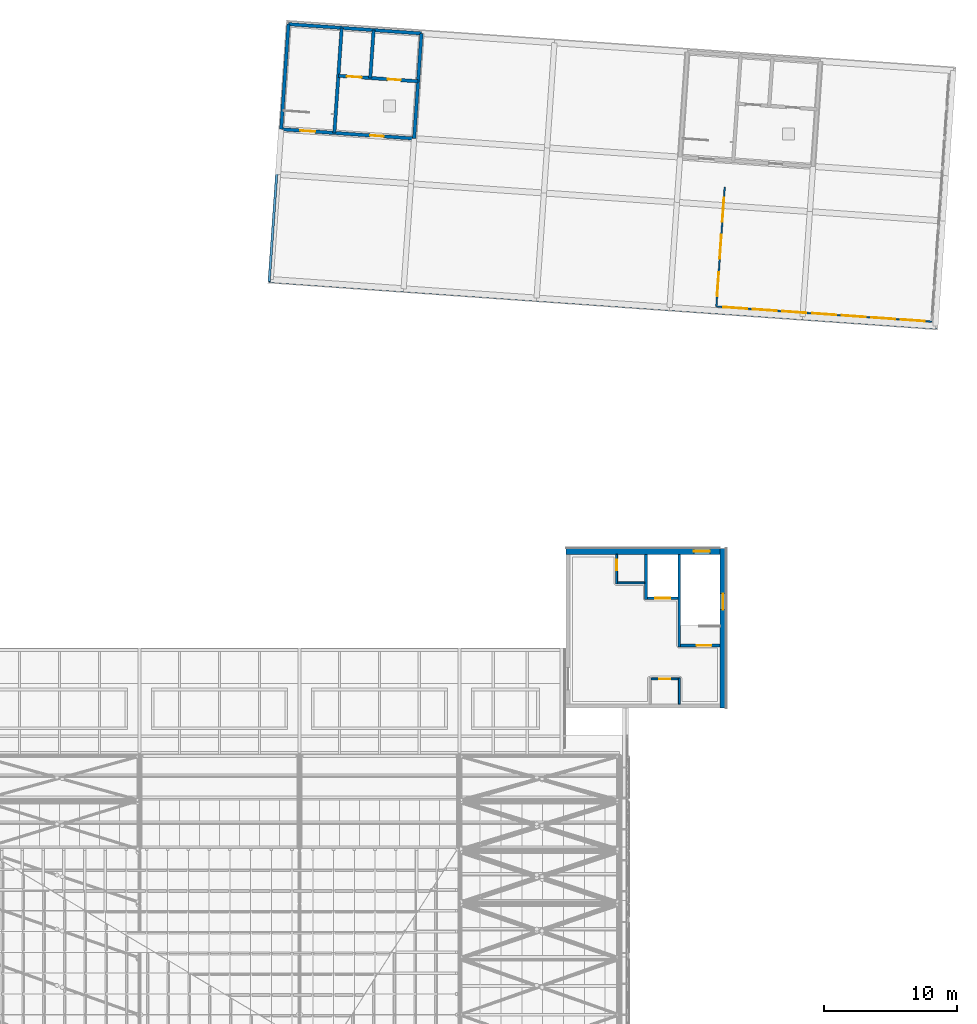
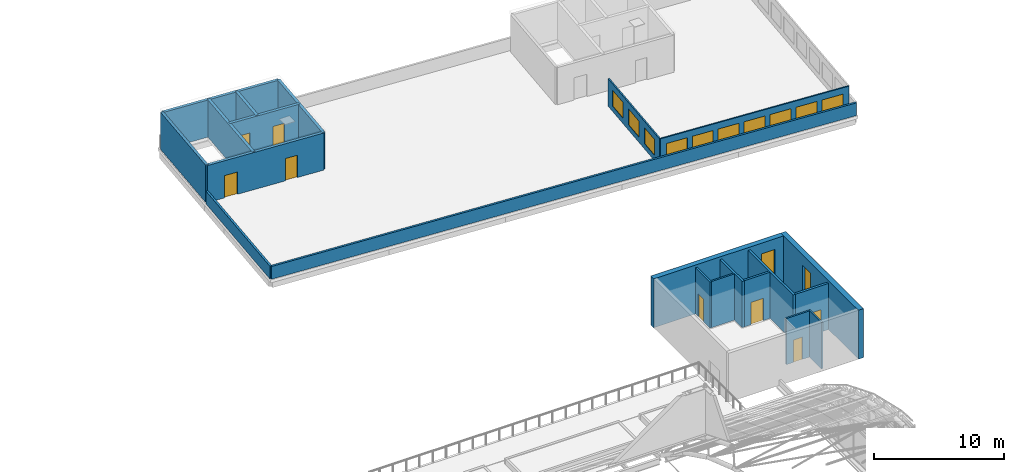
# One storey, part 83 of 110: 21 walls, 12 windows, 8 doors, 20 openings.
"""IFC4 building model written with IfcOpenShell, lengths in metres."""

from ifc_helpers import new_model, si_unit, direction, frame, frame_2d, origin, place, context, subcontext, project, spatial, rectangle, extrude, material, layer, layer_set, type_object, element, fill, save


model = new_model("IFC4")

# Units and contexts
model_context = context("Model", 3, precision=1e-05, world=origin(), true_north=direction((0.0, 1.0)))
body_context = subcontext(model_context, "Body", "Model", "MODEL_VIEW")
ifc_project = project(units=[si_unit("LENGTHUNIT", "METRE"), si_unit("AREAUNIT", "SQUARE_METRE"), si_unit("VOLUMEUNIT", "CUBIC_METRE"), si_unit("PLANEANGLEUNIT", "RADIAN"), si_unit("MASSUNIT", "GRAM", prefix="KILO")], contexts=[model_context])

# Site, building, storey
site_placement = place(None, origin())
site = spatial("IfcSite", under=ifc_project, at=site_placement, CompositionType="ELEMENT")
building_placement = place(site_placement, origin())
building = spatial("IfcBuilding", under=site, at=building_placement, Name="Windward Yard Aquatics Centre", CompositionType="ELEMENT")
storey_placement = place(building_placement, frame((0.0, 0.0, 22.60009765625)))
storey = spatial("IfcBuildingStorey", under=building, at=storey_placement, Name="L05", CompositionType="ELEMENT", Elevation=22.60009765625)

# Wall
ifc_material_1 = material(Name="Concrete C35/45", Category="concrete")
ifc_layer_1 = layer(ifc_material_1, 0.199951171875)
ifc_layer_set_1 = layer_set([ifc_layer_1], Name="H Enclosure Wall Concrete C35/45 200")
wall_type_1 = type_object("IfcWallType", Name="H Enclosure Wall Concrete C35/45 200", PredefinedType="SOLIDWALL", material=ifc_layer_set_1)
wall_1_placement = place(storey_placement, frame((148.5, 95.550048828125, 0.0), z_axis=(0.0, 0.0, 1.0), x_axis=(0.0, -1.0, 0.0)))
element("IfcWall", 1, at=wall_1_placement, inside=storey, type_object=wall_type_1, Name="L05 W1 enclosure wall NE", PredefinedType="SOLIDWALL", context=body_context, shape_type="SweptSolid", body=[
    extrude(rectangle(XDim=6.949951171875, YDim=0.199951171875, at=frame_2d((3.47509765625, 0.0))), origin(), (0.0, 0.0, 1.0), 4.349853515625),
])

# Wall, opening, door
wall_2_placement = place(storey_placement, frame((151.550048828125, 88.699951171875, 0.0), z_axis=(0.0, 0.0, 1.0), x_axis=(-1.0, 0.0, 0.0)))
wall_2 = element("IfcWall", 2, at=wall_2_placement, inside=storey, type_object=wall_type_1, Name="L05 W2 enclosure wall NE", PredefinedType="SOLIDWALL", context=body_context, shape_type="SweptSolid", body=[
    extrude(rectangle(XDim=2.949951171875, YDim=0.199951171875, at=frame_2d((1.47509765625, 0.0))), origin(), (0.0, 0.0, 1.0), 4.349853515625),
])
opening_1_placement = place(wall_2_placement, frame((0.64990234375, 0.0, 0.0)))
opening_1 = element("IfcOpeningElement", 3, at=opening_1_placement, cuts=wall_2, Name="Opening H5006", PredefinedType="OPENING", context=body_context, shape_type="SweptSolid", body=[
    extrude(rectangle(XDim=1.10009765625, YDim=2.10009765625, at=frame_2d((0.550048828125, 1.050048828125))), frame((0.0, 0.10986328125, 0.0), z_axis=(0.0, -1.0, 0.0), x_axis=(1.0, 0.0, 0.0)), (0.0, 0.0, 1.0), 0.219970703125),
])
ifc_material_2 = material(Name="Steel and timber door leaf", Category="steel")
door_type_1 = type_object("IfcDoorType", Name="H Door Single 1100 x 2100 FD60", OperationType="NOTDEFINED", PredefinedType="DOOR", material=ifc_material_2)
door_1_placement = place(opening_1_placement, origin())
door_1 = element("IfcDoor", 4, at=door_1_placement, inside=storey, type_object=door_type_1, Name="L05 stair NE door", OperationType="SINGLE_SWING_RIGHT", OverallHeight=2.10009765625, OverallWidth=1.10009765625, PredefinedType="DOOR", context=body_context, shape_type="SweptSolid", body=[
    extrude(rectangle(XDim=1.10009765625, YDim=2.10009765625, at=frame_2d((0.550048828125, 1.050048828125))), frame((0.0, 0.02490234375, 0.0), z_axis=(0.0, -1.0, 0.0), x_axis=(1.0, 0.0, 0.0)), (0.0, 0.0, 1.0), 0.050048828125),
])
fill(opening_1, door_1)

# Wall
wall_3_placement = place(storey_placement, frame((146.0, 95.550048828125, 0.0), z_axis=(0.0, 0.0, 1.0), x_axis=(0.0, -1.0, 0.0)))
element("IfcWall", 5, at=wall_3_placement, inside=storey, type_object=wall_type_1, Name="L05 W3 enclosure wall NE", PredefinedType="SOLIDWALL", context=body_context, shape_type="SweptSolid", body=[
    extrude(rectangle(XDim=3.400146484375, YDim=0.199951171875, at=frame_2d((1.7001953125, 0.0))), origin(), (0.0, 0.0, 1.0), 4.349853515625),
])

# Wall, opening, door
wall_4_placement = place(storey_placement, frame((148.39990234375, 92.25, 0.0), z_axis=(0.0, 0.0, 1.0), x_axis=(-1.0, 0.0, 0.0)))
wall_4 = element("IfcWall", 6, at=wall_4_placement, inside=storey, type_object=wall_type_1, Name="L05 W4 enclosure wall NE", PredefinedType="SOLIDWALL", context=body_context, shape_type="SweptSolid", body=[
    extrude(rectangle(XDim=2.2998046875, YDim=0.199951171875, at=frame_2d((1.14990234375, 0.0))), origin(), (0.0, 0.0, 1.0), 4.349853515625),
])
opening_2_placement = place(wall_4_placement, frame((0.60009765625, 0.0, 0.0)))
opening_2 = element("IfcOpeningElement", 7, at=opening_2_placement, cuts=wall_4, Name="Opening H5007", PredefinedType="OPENING", context=body_context, shape_type="SweptSolid", body=[
    extrude(rectangle(XDim=1.10009765625, YDim=2.10009765625, at=frame_2d((0.550048828125, 1.050048828125))), frame((0.0, 0.10986328125, 0.0), z_axis=(0.0, -1.0, 0.0), x_axis=(1.0, 0.0, 0.0)), (0.0, 0.0, 1.0), 0.219970703125),
])
ifc_material_3 = material(Name="Stainless steel 1.4301", Category="steel")
door_type_2 = type_object("IfcDoorType", Name="H Lift Landing Door 1100 x 2100", OperationType="DOUBLE_DOOR_SLIDING", PredefinedType="DOOR", material=ifc_material_3)
door_2_placement = place(opening_2_placement, origin())
door_2 = element("IfcDoor", 8, at=door_2_placement, inside=storey, type_object=door_type_2, Name="Lift NE landing door L05", OperationType="DOUBLE_DOOR_SLIDING", OverallHeight=2.10009765625, OverallWidth=1.10009765625, PredefinedType="DOOR", context=body_context, shape_type="SweptSolid", body=[
    extrude(rectangle(XDim=1.10009765625, YDim=2.10009765625, at=frame_2d((0.550048828125, 1.050048828125))), frame((0.0, 0.02490234375, 0.0), z_axis=(0.0, -1.0, 0.0), x_axis=(1.0, 0.0, 0.0)), (0.0, 0.0, 1.0), 0.050048828125),
])
fill(opening_2, door_2)

# Wall
ifc_material_4 = material(Name="Blockwork 150 mm", Category="masonry")
ifc_layer_2 = layer(ifc_material_4, 0.14990234375)
ifc_layer_set_2 = layer_set([ifc_layer_2], Name="H Partition Blockwork 150")
wall_type_2 = type_object("IfcWallType", Name="H Partition Blockwork 150", PredefinedType="PARTITIONING", material=ifc_layer_set_2)
wall_5_placement = place(storey_placement, frame((145.89990234375, 93.39990234375, 0.0), z_axis=(0.0, 0.0, 1.0), x_axis=(-1.0, 0.0, 0.0)))
element("IfcWall", 9, at=wall_5_placement, inside=storey, type_object=wall_type_2, Name="L05 R1N riser wall NE", PredefinedType="PARTITIONING", context=body_context, shape_type="SweptSolid", body=[
    extrude(rectangle(XDim=2.02490234375, YDim=0.14990234375, at=frame_2d((1.012451171875, 0.0))), origin(), (0.0, 0.0, 1.0), 4.349853515625),
])

# Wall, opening, door
wall_6_placement = place(storey_placement, frame((143.800048828125, 95.550048828125, 0.0), z_axis=(0.0, 0.0, 1.0), x_axis=(0.0, -1.0, 0.0)))
wall_6 = element("IfcWall", 10, at=wall_6_placement, inside=storey, type_object=wall_type_2, Name="L05 R1E riser wall NE", PredefinedType="PARTITIONING", context=body_context, shape_type="SweptSolid", body=[
    extrude(rectangle(XDim=2.22509765625, YDim=0.14990234375, at=frame_2d((1.112548828125, 0.0))), origin(), (0.0, 0.0, 1.0), 4.349853515625),
])
opening_3_placement = place(wall_6_placement, frame((0.39990234375, 0.0, 0.0)))
opening_3 = element("IfcOpeningElement", 11, at=opening_3_placement, cuts=wall_6, Name="Opening H5008", PredefinedType="OPENING", context=body_context, shape_type="SweptSolid", body=[
    extrude(rectangle(XDim=0.800048828125, YDim=2.10009765625, at=frame_2d((0.39990234375, 1.050048828125))), frame((0.0, 0.0849609375, 0.0), z_axis=(0.0, -1.0, 0.0), x_axis=(1.0, 0.0, 0.0)), (0.0, 0.0, 1.0), 0.169921875),
])
door_type_3 = type_object("IfcDoorType", Name="H Door Riser 800 x 2100 FD60", OperationType="NOTDEFINED", PredefinedType="DOOR", material=ifc_material_2)
door_3_placement = place(opening_3_placement, origin())
door_3 = element("IfcDoor", 12, at=door_3_placement, inside=storey, type_object=door_type_3, Name="L05 electrical riser NE door", OperationType="SINGLE_SWING_LEFT", OverallHeight=2.10009765625, OverallWidth=0.800048828125, PredefinedType="DOOR", context=body_context, shape_type="SweptSolid", body=[
    extrude(rectangle(XDim=0.800048828125, YDim=2.10009765625, at=frame_2d((0.39990234375, 1.050048828125))), frame((0.0, 0.02490234375, 0.0), z_axis=(0.0, -1.0, 0.0), x_axis=(1.0, 0.0, 0.0)), (0.0, 0.0, 1.0), 0.050048828125),
])
fill(opening_3, door_3)

wall_7_placement = place(storey_placement, frame((148.425048828125, 86.199951171875, 0.0), z_axis=(0.0, 0.0, 1.0), x_axis=(-1.0, 0.0, 0.0)))
wall_7 = element("IfcWall", 13, at=wall_7_placement, inside=storey, type_object=wall_type_2, Name="L05 R2S riser wall NE", PredefinedType="PARTITIONING", context=body_context, shape_type="SweptSolid", body=[
    extrude(rectangle(XDim=2.050048828125, YDim=0.14990234375, at=frame_2d((1.02490234375, 0.0))), origin(), (0.0, 0.0, 1.0), 4.349853515625),
])
opening_4_placement = place(wall_7_placement, frame((0.625, 0.0, 0.0)))
opening_4 = element("IfcOpeningElement", 14, at=opening_4_placement, cuts=wall_7, Name="Opening H5009", PredefinedType="OPENING", context=body_context, shape_type="SweptSolid", body=[
    extrude(rectangle(XDim=0.800048828125, YDim=2.10009765625, at=frame_2d((0.39990234375, 1.050048828125))), frame((0.0, 0.0849609375, 0.0), z_axis=(0.0, -1.0, 0.0), x_axis=(1.0, 0.0, 0.0)), (0.0, 0.0, 1.0), 0.169921875),
])
door_4_placement = place(opening_4_placement, origin())
door_4 = element("IfcDoor", 15, at=door_4_placement, inside=storey, type_object=door_type_3, Name="L05 communications riser NE door", OperationType="SINGLE_SWING_RIGHT", OverallHeight=2.10009765625, OverallWidth=0.800048828125, PredefinedType="DOOR", context=body_context, shape_type="SweptSolid", body=[
    extrude(rectangle(XDim=0.800048828125, YDim=2.10009765625, at=frame_2d((0.39990234375, 1.050048828125))), frame((0.0, 0.02490234375, 0.0), z_axis=(0.0, -1.0, 0.0), x_axis=(1.0, 0.0, 0.0)), (0.0, 0.0, 1.0), 0.050048828125),
])
fill(opening_4, door_4)

# Wall
wall_8_placement = place(storey_placement, frame((148.5, 86.27490234375, 0.0), z_axis=(0.0, 0.0, 1.0), x_axis=(0.0, -1.0, 0.0)))
element("IfcWall", 16, at=wall_8_placement, inside=storey, type_object=wall_type_2, Name="L05 R2W riser wall NE", PredefinedType="PARTITIONING", context=body_context, shape_type="SweptSolid", body=[
    extrude(rectangle(XDim=1.974853515625, YDim=0.14990234375, at=frame_2d((0.9873046875, 0.0))), origin(), (0.0, 0.0, 1.0), 4.349853515625),
])

# Wall, opening, window
ifc_material_5 = material(Name="Natural stone cladding", Category="masonry")
ifc_layer_3 = layer(ifc_material_5, 0.04, Name="Cladding")
ifc_material_6 = material(Name="Ventilated air cavity")
ifc_layer_4 = layer(ifc_material_6, 0.05, ventilated=True, Name="Ventilated cavity")
ifc_material_7 = material(Name="Mineral wool insulation")
ifc_layer_5 = layer(ifc_material_7, 0.08, Name="Insulation")
ifc_layer_6 = layer(ifc_material_1, 0.28, Name="Structure")
ifc_layer_set_3 = layer_set([ifc_layer_3, ifc_layer_4, ifc_layer_5, ifc_layer_6], Name="H plinth wall stone faced 450 C35/45")
wall_type_3 = type_object("IfcWallType", Name="H plinth wall stone faced 450 C35/45", PredefinedType="ELEMENTEDWALL", material=ifc_layer_set_3)
wall_9_placement = place(storey_placement, frame((151.77490234375, 96.0, 0.0), z_axis=(0.0, 0.0, 1.0), x_axis=(0.0, -1.0, 0.0)))
wall_9 = element("IfcWall", 17, at=wall_9_placement, inside=storey, type_object=wall_type_3, Name="H.CW.NE.E.L05", PredefinedType="ELEMENTEDWALL", context=body_context, shape_type="SweptSolid", body=[
    extrude(rectangle(XDim=12.0, YDim=0.449951171875, at=frame_2d((6.0, 0.0))), origin(), (0.0, 0.0, 1.0), 4.599853515625),
])
opening_5_placement = place(wall_9_placement, frame((3.39990234375, 0.0, 0.60009765625)))
opening_5 = element("IfcOpeningElement", 18, at=opening_5_placement, cuts=wall_9, Name="Opening W5023", PredefinedType="OPENING", context=body_context, shape_type="SweptSolid", body=[
    extrude(rectangle(XDim=1.199951171875, YDim=3.0, at=frame_2d((0.60009765625, 1.5))), frame((0.0, 0.23486328125, 0.0), z_axis=(0.0, -1.0, 0.0), x_axis=(1.0, 0.0, 0.0)), (0.0, 0.0, 1.0), 0.469970703125),
])
ifc_material_8 = material(Name="Fire-resisting glazing in steel frame", Category="steel")
window_type_1 = type_object("IfcWindowType", Name="H Core Stair Window 1200 x 3000 EI 60", PartitioningType="SINGLE_PANEL", PredefinedType="WINDOW", material=ifc_material_8)
window_1_placement = place(opening_5_placement, origin())
window_1 = element("IfcWindow", 19, at=window_1_placement, inside=storey, type_object=window_type_1, Name="L05 core NE stair window", OverallHeight=3.0, OverallWidth=1.199951171875, PartitioningType="SINGLE_PANEL", PredefinedType="WINDOW", context=body_context, shape_type="SweptSolid", body=[
    extrude(rectangle(XDim=1.199951171875, YDim=3.0, at=frame_2d((0.60009765625, 1.5))), frame((0.0, 0.030029296875, 0.0), z_axis=(0.0, -1.0, 0.0), x_axis=(1.0, 0.0, 0.0)), (0.0, 0.0, 1.0), 0.06005859375),
])
fill(opening_5, window_1)

wall_10_placement = place(storey_placement, frame((151.550048828125, 95.77490234375, 0.0), z_axis=(0.0, 0.0, 1.0), x_axis=(-1.0, 0.0, 0.0)))
wall_10 = element("IfcWall", 20, at=wall_10_placement, inside=storey, type_object=wall_type_3, Name="H.CW.NE.N.L05", PredefinedType="ELEMENTEDWALL", context=body_context, shape_type="SweptSolid", body=[
    extrude(rectangle(XDim=11.550048828125, YDim=0.449951171875, at=frame_2d((5.77490234375, 0.0))), origin(), (0.0, 0.0, 1.0), 4.599853515625),
])
opening_6_placement = place(wall_10_placement, frame((0.75, 0.0, 0.60009765625)))
opening_6 = element("IfcOpeningElement", 21, at=opening_6_placement, cuts=wall_10, Name="Opening W5024", PredefinedType="OPENING", context=body_context, shape_type="SweptSolid", body=[
    extrude(rectangle(XDim=1.199951171875, YDim=3.0, at=frame_2d((0.60009765625, 1.5))), frame((0.0, 0.23486328125, 0.0), z_axis=(0.0, -1.0, 0.0), x_axis=(1.0, 0.0, 0.0)), (0.0, 0.0, 1.0), 0.469970703125),
])
window_2_placement = place(opening_6_placement, origin())
window_2 = element("IfcWindow", 22, at=window_2_placement, inside=storey, type_object=window_type_1, Name="L05 core NE stair window", OverallHeight=3.0, OverallWidth=1.199951171875, PartitioningType="SINGLE_PANEL", PredefinedType="WINDOW", context=body_context, shape_type="SweptSolid", body=[
    extrude(rectangle(XDim=1.199951171875, YDim=3.0, at=frame_2d((0.60009765625, 1.5))), frame((0.0, 0.030029296875, 0.0), z_axis=(0.0, -1.0, 0.0), x_axis=(1.0, 0.0, 0.0)), (0.0, 0.0, 1.0), 0.06005859375),
])
fill(opening_6, window_2)

# Wall, openings, doors
ifc_material_9 = material(Name="Concrete C40/50", Category="concrete")
ifc_layer_7 = layer(ifc_material_9, 0.25)
ifc_layer_set_4 = layer_set([ifc_layer_7], Name="W RC core wall 250 Concrete C40/50")
wall_type_4 = type_object("IfcWallType", Name="W RC core wall 250 Concrete C40/50", PredefinedType="SOLIDWALL", material=ifc_layer_set_4)
wall_11_placement = place(storey_placement, frame((118.627197265625, 127.43994140625, 0.0), z_axis=(0.0, 0.0, 1.0), x_axis=(0.997564406228, -0.069751382981, 0.0)))
wall_11 = element("IfcWall", 23, at=wall_11_placement, inside=storey, type_object=wall_type_4, Name="W.HH.W.1", PredefinedType="SOLIDWALL", context=body_context, shape_type="SweptSolid", body=[
    extrude(rectangle(XDim=10.0, YDim=0.25, at=frame_2d((5.0, 0.0))), origin(), (0.0, 0.0, 1.0), 3.5),
])
opening_7_placement = place(wall_11_placement, frame((1.449951171875, 0.0, 0.0)))
opening_7 = element("IfcOpeningElement", 24, at=opening_7_placement, cuts=wall_11, Name="Opening W5001", PredefinedType="OPENING", context=body_context, shape_type="SweptSolid", body=[
    extrude(rectangle(XDim=1.10009765625, YDim=2.10009765625, at=frame_2d((0.550048828125, 1.050048828125))), frame((0.0, 0.135009765625, 0.0), z_axis=(0.0, -1.0, 0.0), x_axis=(1.0, 0.0, 0.0)), (0.0, 0.0, 1.0), 0.27001953125),
])
opening_8_placement = place(wall_11_placement, frame((6.699951171875, 0.0, 0.0)))
opening_8 = element("IfcOpeningElement", 25, at=opening_8_placement, cuts=wall_11, Name="Opening W5002", PredefinedType="OPENING", context=body_context, shape_type="SweptSolid", body=[
    extrude(rectangle(XDim=1.0, YDim=2.10009765625, at=frame_2d((0.5, 1.050048828125))), frame((0.0, 0.135009765625, 0.0), z_axis=(0.0, -1.0, 0.0), x_axis=(1.0, 0.0, 0.0)), (0.0, 0.0, 1.0), 0.27001953125),
])
ifc_material_10 = material(Name="Steel fire door leaf", Category="steel")
door_type_4 = type_object("IfcDoorType", Name="W fire door FD60 1000x2100", OperationType="SINGLE_SWING_LEFT", PredefinedType="DOOR", material=ifc_material_10)
door_5_placement = place(opening_8_placement, origin())
door_5 = element("IfcDoor", 26, at=door_5_placement, inside=storey, type_object=door_type_4, Name="W.DRI.L05.002", OperationType="SINGLE_SWING_LEFT", OverallHeight=2.10009765625, OverallWidth=1.0, PredefinedType="DOOR", context=body_context, shape_type="SweptSolid", body=[
    extrude(rectangle(XDim=1.0, YDim=2.10009765625, at=frame_2d((0.5, 1.050048828125))), frame((0.0, 0.02490234375, 0.0), z_axis=(0.0, -1.0, 0.0), x_axis=(1.0, 0.0, 0.0)), (0.0, 0.0, 1.0), 0.050048828125),
])
fill(opening_8, door_5)
door_type_5 = type_object("IfcDoorType", Name="W stair door FD60 1100x2100", OperationType="SINGLE_SWING_LEFT", PredefinedType="DOOR", material=ifc_material_10)
door_6_placement = place(opening_7_placement, origin())
door_6 = element("IfcDoor", 27, at=door_6_placement, inside=storey, type_object=door_type_5, Name="W.DRI.L05.001", OperationType="SINGLE_SWING_RIGHT", OverallHeight=2.10009765625, OverallWidth=1.10009765625, PredefinedType="DOOR", context=body_context, shape_type="SweptSolid", body=[
    extrude(rectangle(XDim=1.10009765625, YDim=2.10009765625, at=frame_2d((0.550048828125, 1.050048828125))), frame((0.0, 0.02490234375, 0.0), z_axis=(0.0, -1.0, 0.0), x_axis=(1.0, 0.0, 0.0)), (0.0, 0.0, 1.0), 0.050048828125),
])
fill(opening_7, door_6)

# Walls
wall_12_placement = place(storey_placement, frame((128.602783203125, 126.742431640625, 0.0), z_axis=(0.0, 0.0, 1.0), x_axis=(0.0697491702, 0.997564560947, 0.0)))
element("IfcWall", 28, at=wall_12_placement, inside=storey, type_object=wall_type_4, Name="W.HH.W.2", PredefinedType="SOLIDWALL", context=body_context, shape_type="SweptSolid", body=[
    extrude(rectangle(XDim=7.900146484375, YDim=0.25, at=frame_2d((3.9501953125, 0.0))), origin(), (0.0, 0.0, 1.0), 3.5),
])
wall_13_placement = place(storey_placement, frame((129.15380859375, 134.623291015625, 0.0), z_axis=(0.0, 0.0, 1.0), x_axis=(-0.997564406228, 0.069751382981, 0.0)))
element("IfcWall", 29, at=wall_13_placement, inside=storey, type_object=wall_type_4, Name="W.HH.W.3", PredefinedType="SOLIDWALL", context=body_context, shape_type="SweptSolid", body=[
    extrude(rectangle(XDim=10.0, YDim=0.25, at=frame_2d((5.0, 0.0))), origin(), (0.0, 0.0, 1.0), 3.5),
])
for number, where, z_axis, x_axis, name in (
    (30, (119.17822265625, 135.32080078125, 0.0), (0.0, 0.0, 1.0), (-0.0697491702, -0.997564560947, 0.0), "W.HH.W.4"),
    (31, (122.617431640625, 127.160888671875, 0.0), (0.0, 0.0, 1.0), (0.0697491702, 0.997564560947, 0.0), "W.WL.L05.001"),
):
    element("IfcWall", number, at=place(storey_placement, frame(where, z_axis=z_axis, x_axis=x_axis)), inside=storey, type_object=wall_type_4, Name=name, PredefinedType="SOLIDWALL", context=body_context, shape_type="SweptSolid", body=[
        extrude(rectangle(XDim=7.900146484375, YDim=0.25, at=frame_2d((3.9501953125, 0.0))), origin(), (0.0, 0.0, 1.0), 3.5),
    ])
wall_14_placement = place(storey_placement, frame((125.3115234375, 131.283203125, 0.0), z_axis=(0.0, 0.0, 1.0), x_axis=(0.069719119461, 0.997566661623, 0.0)))
element("IfcWall", 32, at=wall_14_placement, inside=storey, type_object=wall_type_4, Name="W.WL.L05.002", PredefinedType="SOLIDWALL", context=body_context, shape_type="SweptSolid", body=[
    extrude(rectangle(XDim=3.599853515625, YDim=0.25, at=frame_2d((1.7998046875, 0.0))), origin(), (0.0, 0.0, 1.0), 3.5),
])

# Wall, openings, doors
wall_15_placement = place(storey_placement, frame((122.917236328125, 131.450439453125, 0.0), z_axis=(0.0, 0.0, 1.0), x_axis=(0.997564972454, -0.069743284499, 0.0)))
wall_15 = element("IfcWall", 33, at=wall_15_placement, inside=storey, type_object=wall_type_4, Name="W.WL.L05.005", PredefinedType="SOLIDWALL", context=body_context, shape_type="SweptSolid", body=[
    extrude(rectangle(XDim=6.0, YDim=0.25, at=frame_2d((3.0, 0.0))), origin(), (0.0, 0.0, 1.0), 3.5),
])
opening_9_placement = place(wall_15_placement, frame((3.699951171875, 0.0, 0.0)))
opening_9 = element("IfcOpeningElement", 34, at=opening_9_placement, cuts=wall_15, Name="Opening W5003", PredefinedType="OPENING", context=body_context, shape_type="SweptSolid", body=[
    extrude(rectangle(XDim=1.0, YDim=2.10009765625, at=frame_2d((0.5, 1.050048828125))), frame((0.0, 0.135009765625, 0.0), z_axis=(0.0, -1.0, 0.0), x_axis=(1.0, 0.0, 0.0)), (0.0, 0.0, 1.0), 0.27001953125),
])
opening_10_placement = place(wall_15_placement, frame((0.64990234375, 0.0, 0.0)))
opening_10 = element("IfcOpeningElement", 35, at=opening_10_placement, cuts=wall_15, Name="Opening W5004", PredefinedType="OPENING", context=body_context, shape_type="SweptSolid", body=[
    extrude(rectangle(XDim=1.10009765625, YDim=2.10009765625, at=frame_2d((0.550048828125, 1.050048828125))), frame((0.0, 0.135009765625, 0.0), z_axis=(0.0, -1.0, 0.0), x_axis=(1.0, 0.0, 0.0)), (0.0, 0.0, 1.0), 0.27001953125),
])
door_7_placement = place(opening_9_placement, origin())
door_7 = element("IfcDoor", 36, at=door_7_placement, inside=storey, type_object=door_type_4, Name="W.DRI.L05.003", OperationType="SINGLE_SWING_RIGHT", OverallHeight=2.10009765625, OverallWidth=1.0, PredefinedType="DOOR", context=body_context, shape_type="SweptSolid", body=[
    extrude(rectangle(XDim=1.0, YDim=2.10009765625, at=frame_2d((0.5, 1.050048828125))), frame((0.0, 0.02490234375, 0.0), z_axis=(0.0, -1.0, 0.0), x_axis=(1.0, 0.0, 0.0)), (0.0, 0.0, 1.0), 0.050048828125),
])
fill(opening_9, door_7)
ifc_material_11 = material(Name="Stainless steel sliding door leaf", Category="steel")
door_type_6 = type_object("IfcDoorType", Name="W lift landing door 1100x2100", OperationType="SLIDING_TO_LEFT", PredefinedType="DOOR", material=ifc_material_11)
door_8_placement = place(opening_10_placement, origin())
door_8 = element("IfcDoor", 37, at=door_8_placement, inside=storey, type_object=door_type_6, Name="Landing door W L05", OperationType="SLIDING_TO_LEFT", OverallHeight=2.10009765625, OverallWidth=1.10009765625, PredefinedType="DOOR", context=body_context, shape_type="SweptSolid", body=[
    extrude(rectangle(XDim=1.10009765625, YDim=2.10009765625, at=frame_2d((0.550048828125, 1.050048828125))), frame((0.0, 0.02490234375, 0.0), z_axis=(0.0, -1.0, 0.0), x_axis=(1.0, 0.0, 0.0)), (0.0, 0.0, 1.0), 0.050048828125),
])
fill(opening_10, door_8)

# Walls
ifc_layer_8 = layer(ifc_material_1, 0.179931640625)
ifc_layer_set_5 = layer_set([ifc_layer_8], Name="W parapet 180 Concrete C35/45")
wall_type_5 = type_object("IfcWallType", Name="W parapet 180 Concrete C35/45", PredefinedType="PARAPET", material=ifc_layer_set_5)
wall_16_placement = place(storey_placement, frame((117.728515625, 116.02490234375, 0.0), z_axis=(0.0, 0.0, 1.0), x_axis=(0.997564157789, -0.069754935989, 0.0)))
element("IfcWall", 38, at=wall_16_placement, inside=storey, type_object=wall_type_5, Name="W.PAR.1", PredefinedType="PARAPET", context=body_context, shape_type="SweptSolid", body=[
    extrude(rectangle(XDim=50.2001953125, YDim=0.179931640625, at=frame_2d((25.10009765625, 0.0))), origin(), (0.0, 0.0, 1.0), 1.199951171875),
])
wall_17_placement = place(storey_placement, frame((118.513427734375, 127.24755859375, 0.0), z_axis=(0.0, 0.0, 1.0), x_axis=(-0.069769524177, -0.997563137599, 0.0)))
element("IfcWall", 39, at=wall_17_placement, inside=storey, type_object=wall_type_5, Name="W.PAR.4", PredefinedType="PARAPET", context=body_context, shape_type="SweptSolid", body=[
    extrude(rectangle(XDim=11.25, YDim=0.179931640625, at=frame_2d((5.625, 0.0))), origin(), (0.0, 0.0, 1.0), 1.199951171875),
])

# Wall, openings, windows
ifc_material_12 = material(Name="Aluminium louvre screen frame", Category="aluminium")
ifc_layer_9 = layer(ifc_material_12, 0.1201171875)
ifc_layer_set_6 = layer_set([ifc_layer_9], Name="W plant screen 120")
wall_type_6 = type_object("IfcWallType", Name="W plant screen 120", PredefinedType="SOLIDWALL", material=ifc_layer_set_6)
wall_18_placement = place(storey_placement, frame((151.2783203125, 114.1298828125, 0.0), z_axis=(0.0, 0.0, 1.0), x_axis=(0.997564748086, -0.069746493649, 0.0)))
wall_18 = element("IfcWall", 40, at=wall_18_placement, inside=storey, type_object=wall_type_6, Name="W.SCR.S", PredefinedType="SOLIDWALL", context=body_context, shape_type="SweptSolid", body=[
    extrude(rectangle(XDim=16.199951171875, YDim=0.1201171875, at=frame_2d((8.10009765625, 0.0))), origin(), (0.0, 0.0, 1.0), 2.599853515625),
])
opening_11_placement = place(wall_18_placement, frame((0.514404296875, 0.0, 0.5)))
opening_11 = element("IfcOpeningElement", 41, at=opening_11_placement, cuts=wall_18, Name="Opening W5501", PredefinedType="OPENING", context=body_context, shape_type="SweptSolid", body=[
    extrude(rectangle(XDim=1.800048828125, YDim=1.5, at=frame_2d((0.89990234375, 0.75))), frame((0.0, 0.070068359375, 0.0), z_axis=(0.0, -1.0, 0.0), x_axis=(1.0, 0.0, 0.0)), (0.0, 0.0, 1.0), 0.14013671875),
])
opening_12_placement = place(wall_18_placement, frame((2.742919921875, 0.0, 0.5)))
opening_12 = element("IfcOpeningElement", 42, at=opening_12_placement, cuts=wall_18, Name="Opening W5502", PredefinedType="OPENING", context=body_context, shape_type="SweptSolid", body=[
    extrude(rectangle(XDim=1.800048828125, YDim=1.5, at=frame_2d((0.89990234375, 0.75))), frame((0.0, 0.070068359375, 0.0), z_axis=(0.0, -1.0, 0.0), x_axis=(1.0, 0.0, 0.0)), (0.0, 0.0, 1.0), 0.14013671875),
])
opening_13_placement = place(wall_18_placement, frame((4.971435546875, 0.0, 0.5)))
opening_13 = element("IfcOpeningElement", 43, at=opening_13_placement, cuts=wall_18, Name="Opening W5503", PredefinedType="OPENING", context=body_context, shape_type="SweptSolid", body=[
    extrude(rectangle(XDim=1.800048828125, YDim=1.5, at=frame_2d((0.89990234375, 0.75))), frame((0.0, 0.070068359375, 0.0), z_axis=(0.0, -1.0, 0.0), x_axis=(1.0, 0.0, 0.0)), (0.0, 0.0, 1.0), 0.14013671875),
])
opening_14_placement = place(wall_18_placement, frame((7.199951171875, 0.0, 0.5)))
opening_14 = element("IfcOpeningElement", 44, at=opening_14_placement, cuts=wall_18, Name="Opening W5504", PredefinedType="OPENING", context=body_context, shape_type="SweptSolid", body=[
    extrude(rectangle(XDim=1.800048828125, YDim=1.5, at=frame_2d((0.89990234375, 0.75))), frame((0.0, 0.070068359375, 0.0), z_axis=(0.0, -1.0, 0.0), x_axis=(1.0, 0.0, 0.0)), (0.0, 0.0, 1.0), 0.14013671875),
])
opening_15_placement = place(wall_18_placement, frame((9.4287109375, 0.0, 0.5)))
opening_15 = element("IfcOpeningElement", 45, at=opening_15_placement, cuts=wall_18, Name="Opening W5505", PredefinedType="OPENING", context=body_context, shape_type="SweptSolid", body=[
    extrude(rectangle(XDim=1.800048828125, YDim=1.5, at=frame_2d((0.89990234375, 0.75))), frame((0.0, 0.070068359375, 0.0), z_axis=(0.0, -1.0, 0.0), x_axis=(1.0, 0.0, 0.0)), (0.0, 0.0, 1.0), 0.14013671875),
])
opening_16_placement = place(wall_18_placement, frame((11.656982421875, 0.0, 0.5)))
opening_16 = element("IfcOpeningElement", 46, at=opening_16_placement, cuts=wall_18, Name="Opening W5506", PredefinedType="OPENING", context=body_context, shape_type="SweptSolid", body=[
    extrude(rectangle(XDim=1.800048828125, YDim=1.5, at=frame_2d((0.89990234375, 0.75))), frame((0.0, 0.070068359375, 0.0), z_axis=(0.0, -1.0, 0.0), x_axis=(1.0, 0.0, 0.0)), (0.0, 0.0, 1.0), 0.14013671875),
])
opening_17_placement = place(wall_18_placement, frame((13.8857421875, 0.0, 0.5)))
opening_17 = element("IfcOpeningElement", 47, at=opening_17_placement, cuts=wall_18, Name="Opening W5507", PredefinedType="OPENING", context=body_context, shape_type="SweptSolid", body=[
    extrude(rectangle(XDim=1.800048828125, YDim=1.5, at=frame_2d((0.89990234375, 0.75))), frame((0.0, 0.070068359375, 0.0), z_axis=(0.0, -1.0, 0.0), x_axis=(1.0, 0.0, 0.0)), (0.0, 0.0, 1.0), 0.14013671875),
])
ifc_material_13 = material(Name="Aluminium storm louvre", Category="aluminium")
window_type_2 = type_object("IfcWindowType", Name="W storm louvre 1800x1500", PartitioningType="SINGLE_PANEL", PredefinedType="WINDOW", material=ifc_material_13)
window_3_placement = place(opening_11_placement, origin())
window_3 = element("IfcWindow", 48, at=window_3_placement, inside=storey, type_object=window_type_2, Name="W.WN.ROOF.W5501", OverallHeight=1.5, OverallWidth=1.800048828125, PartitioningType="SINGLE_PANEL", PredefinedType="WINDOW", context=body_context, shape_type="SweptSolid", body=[
    extrude(rectangle(XDim=1.800048828125, YDim=1.5, at=frame_2d((0.89990234375, 0.75))), frame((0.0, 0.030029296875, 0.0), z_axis=(0.0, -1.0, 0.0), x_axis=(1.0, 0.0, 0.0)), (0.0, 0.0, 1.0), 0.06005859375),
])
fill(opening_11, window_3)
window_4_placement = place(opening_12_placement, origin())
window_4 = element("IfcWindow", 49, at=window_4_placement, inside=storey, type_object=window_type_2, Name="W.WN.ROOF.W5502", OverallHeight=1.5, OverallWidth=1.800048828125, PartitioningType="SINGLE_PANEL", PredefinedType="WINDOW", context=body_context, shape_type="SweptSolid", body=[
    extrude(rectangle(XDim=1.800048828125, YDim=1.5, at=frame_2d((0.89990234375, 0.75))), frame((0.0, 0.030029296875, 0.0), z_axis=(0.0, -1.0, 0.0), x_axis=(1.0, 0.0, 0.0)), (0.0, 0.0, 1.0), 0.06005859375),
])
fill(opening_12, window_4)
window_5_placement = place(opening_13_placement, origin())
window_5 = element("IfcWindow", 50, at=window_5_placement, inside=storey, type_object=window_type_2, Name="W.WN.ROOF.W5503", OverallHeight=1.5, OverallWidth=1.800048828125, PartitioningType="SINGLE_PANEL", PredefinedType="WINDOW", context=body_context, shape_type="SweptSolid", body=[
    extrude(rectangle(XDim=1.800048828125, YDim=1.5, at=frame_2d((0.89990234375, 0.75))), frame((0.0, 0.030029296875, 0.0), z_axis=(0.0, -1.0, 0.0), x_axis=(1.0, 0.0, 0.0)), (0.0, 0.0, 1.0), 0.06005859375),
])
fill(opening_13, window_5)
window_6_placement = place(opening_14_placement, origin())
window_6 = element("IfcWindow", 51, at=window_6_placement, inside=storey, type_object=window_type_2, Name="W.WN.ROOF.W5504", OverallHeight=1.5, OverallWidth=1.800048828125, PartitioningType="SINGLE_PANEL", PredefinedType="WINDOW", context=body_context, shape_type="SweptSolid", body=[
    extrude(rectangle(XDim=1.800048828125, YDim=1.5, at=frame_2d((0.89990234375, 0.75))), frame((0.0, 0.030029296875, 0.0), z_axis=(0.0, -1.0, 0.0), x_axis=(1.0, 0.0, 0.0)), (0.0, 0.0, 1.0), 0.06005859375),
])
fill(opening_14, window_6)
window_7_placement = place(opening_15_placement, origin())
window_7 = element("IfcWindow", 52, at=window_7_placement, inside=storey, type_object=window_type_2, Name="W.WN.ROOF.W5505", OverallHeight=1.5, OverallWidth=1.800048828125, PartitioningType="SINGLE_PANEL", PredefinedType="WINDOW", context=body_context, shape_type="SweptSolid", body=[
    extrude(rectangle(XDim=1.800048828125, YDim=1.5, at=frame_2d((0.89990234375, 0.75))), frame((0.0, 0.030029296875, 0.0), z_axis=(0.0, -1.0, 0.0), x_axis=(1.0, 0.0, 0.0)), (0.0, 0.0, 1.0), 0.06005859375),
])
fill(opening_15, window_7)
window_8_placement = place(opening_16_placement, origin())
window_8 = element("IfcWindow", 53, at=window_8_placement, inside=storey, type_object=window_type_2, Name="W.WN.ROOF.W5506", OverallHeight=1.5, OverallWidth=1.800048828125, PartitioningType="SINGLE_PANEL", PredefinedType="WINDOW", context=body_context, shape_type="SweptSolid", body=[
    extrude(rectangle(XDim=1.800048828125, YDim=1.5, at=frame_2d((0.89990234375, 0.75))), frame((0.0, 0.030029296875, 0.0), z_axis=(0.0, -1.0, 0.0), x_axis=(1.0, 0.0, 0.0)), (0.0, 0.0, 1.0), 0.06005859375),
])
fill(opening_16, window_8)
window_9_placement = place(opening_17_placement, origin())
window_9 = element("IfcWindow", 54, at=window_9_placement, inside=storey, type_object=window_type_2, Name="W.WN.ROOF.W5507", OverallHeight=1.5, OverallWidth=1.800048828125, PartitioningType="SINGLE_PANEL", PredefinedType="WINDOW", context=body_context, shape_type="SweptSolid", body=[
    extrude(rectangle(XDim=1.800048828125, YDim=1.5, at=frame_2d((0.89990234375, 0.75))), frame((0.0, 0.030029296875, 0.0), z_axis=(0.0, -1.0, 0.0), x_axis=(1.0, 0.0, 0.0)), (0.0, 0.0, 1.0), 0.06005859375),
])
fill(opening_17, window_9)

wall_19_placement = place(storey_placement, frame((151.2783203125, 114.1298828125, 0.0), z_axis=(0.0, 0.0, 1.0), x_axis=(0.069743284499, 0.997564972454, 0.0)))
wall_19 = element("IfcWall", 55, at=wall_19_placement, inside=storey, type_object=wall_type_6, Name="W.SCR.W", PredefinedType="SOLIDWALL", context=body_context, shape_type="SweptSolid", body=[
    extrude(rectangle(XDim=9.0, YDim=0.1201171875, at=frame_2d((4.5, 0.0))), origin(), (0.0, 0.0, 1.0), 2.599853515625),
])
opening_18_placement = place(wall_19_placement, frame((0.800048828125, 0.0, 0.5)))
opening_18 = element("IfcOpeningElement", 56, at=opening_18_placement, cuts=wall_19, Name="Opening W5516", PredefinedType="OPENING", context=body_context, shape_type="SweptSolid", body=[
    extrude(rectangle(XDim=1.800048828125, YDim=1.5, at=frame_2d((0.89990234375, 0.75))), frame((0.0, 0.070068359375, 0.0), z_axis=(0.0, -1.0, 0.0), x_axis=(1.0, 0.0, 0.0)), (0.0, 0.0, 1.0), 0.14013671875),
])
opening_19_placement = place(wall_19_placement, frame((3.60009765625, 0.0, 0.5)))
opening_19 = element("IfcOpeningElement", 57, at=opening_19_placement, cuts=wall_19, Name="Opening W5517", PredefinedType="OPENING", context=body_context, shape_type="SweptSolid", body=[
    extrude(rectangle(XDim=1.800048828125, YDim=1.5, at=frame_2d((0.89990234375, 0.75))), frame((0.0, 0.070068359375, 0.0), z_axis=(0.0, -1.0, 0.0), x_axis=(1.0, 0.0, 0.0)), (0.0, 0.0, 1.0), 0.14013671875),
])
opening_20_placement = place(wall_19_placement, frame((6.39990234375, 0.0, 0.5)))
opening_20 = element("IfcOpeningElement", 58, at=opening_20_placement, cuts=wall_19, Name="Opening W5518", PredefinedType="OPENING", context=body_context, shape_type="SweptSolid", body=[
    extrude(rectangle(XDim=1.800048828125, YDim=1.5, at=frame_2d((0.89990234375, 0.75))), frame((0.0, 0.070068359375, 0.0), z_axis=(0.0, -1.0, 0.0), x_axis=(1.0, 0.0, 0.0)), (0.0, 0.0, 1.0), 0.14013671875),
])
window_10_placement = place(opening_18_placement, origin())
window_10 = element("IfcWindow", 59, at=window_10_placement, inside=storey, type_object=window_type_2, Name="W.WN.ROOF.W5516", OverallHeight=1.5, OverallWidth=1.800048828125, PartitioningType="SINGLE_PANEL", PredefinedType="WINDOW", context=body_context, shape_type="SweptSolid", body=[
    extrude(rectangle(XDim=1.800048828125, YDim=1.5, at=frame_2d((0.89990234375, 0.75))), frame((0.0, 0.030029296875, 0.0), z_axis=(0.0, -1.0, 0.0), x_axis=(1.0, 0.0, 0.0)), (0.0, 0.0, 1.0), 0.06005859375),
])
fill(opening_18, window_10)
window_11_placement = place(opening_19_placement, origin())
window_11 = element("IfcWindow", 60, at=window_11_placement, inside=storey, type_object=window_type_2, Name="W.WN.ROOF.W5517", OverallHeight=1.5, OverallWidth=1.800048828125, PartitioningType="SINGLE_PANEL", PredefinedType="WINDOW", context=body_context, shape_type="SweptSolid", body=[
    extrude(rectangle(XDim=1.800048828125, YDim=1.5, at=frame_2d((0.89990234375, 0.75))), frame((0.0, 0.030029296875, 0.0), z_axis=(0.0, -1.0, 0.0), x_axis=(1.0, 0.0, 0.0)), (0.0, 0.0, 1.0), 0.06005859375),
])
fill(opening_19, window_11)
window_12_placement = place(opening_20_placement, origin())
window_12 = element("IfcWindow", 61, at=window_12_placement, inside=storey, type_object=window_type_2, Name="W.WN.ROOF.W5518", OverallHeight=1.5, OverallWidth=1.800048828125, PartitioningType="SINGLE_PANEL", PredefinedType="WINDOW", context=body_context, shape_type="SweptSolid", body=[
    extrude(rectangle(XDim=1.800048828125, YDim=1.5, at=frame_2d((0.89990234375, 0.75))), frame((0.0, 0.030029296875, 0.0), z_axis=(0.0, -1.0, 0.0), x_axis=(1.0, 0.0, 0.0)), (0.0, 0.0, 1.0), 0.06005859375),
])
fill(opening_20, window_12)

save(model, "model.ifc")
